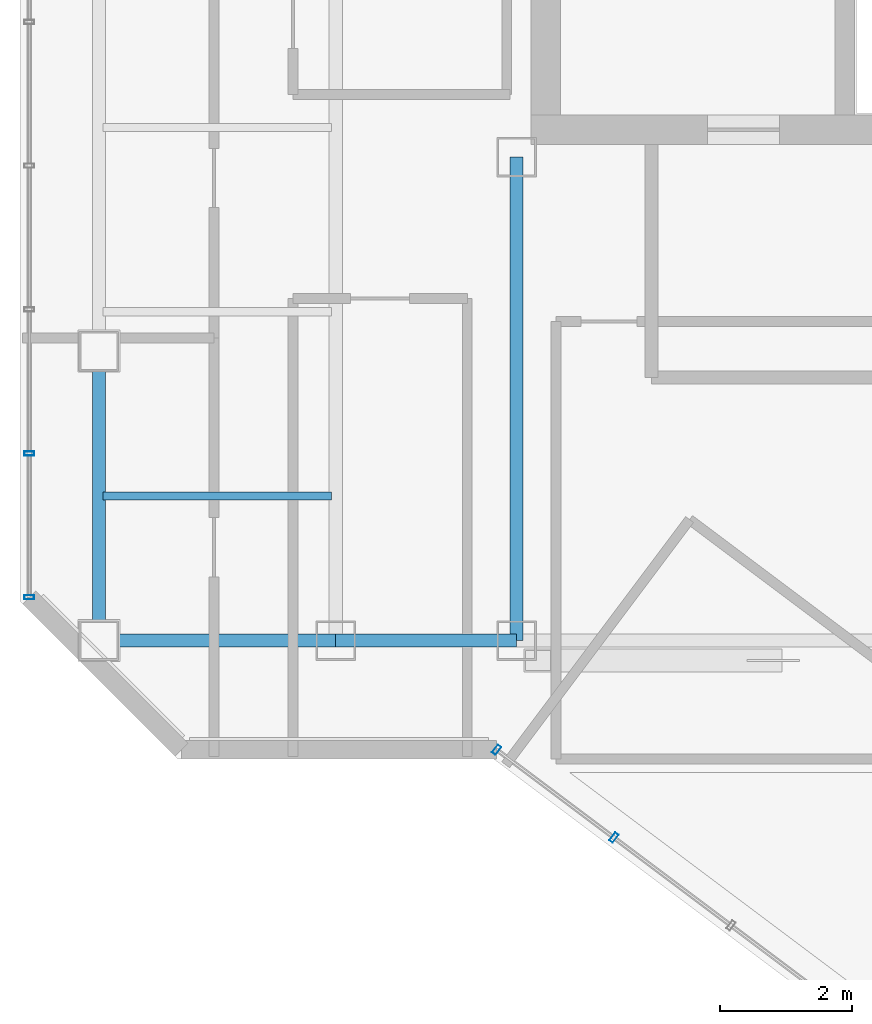
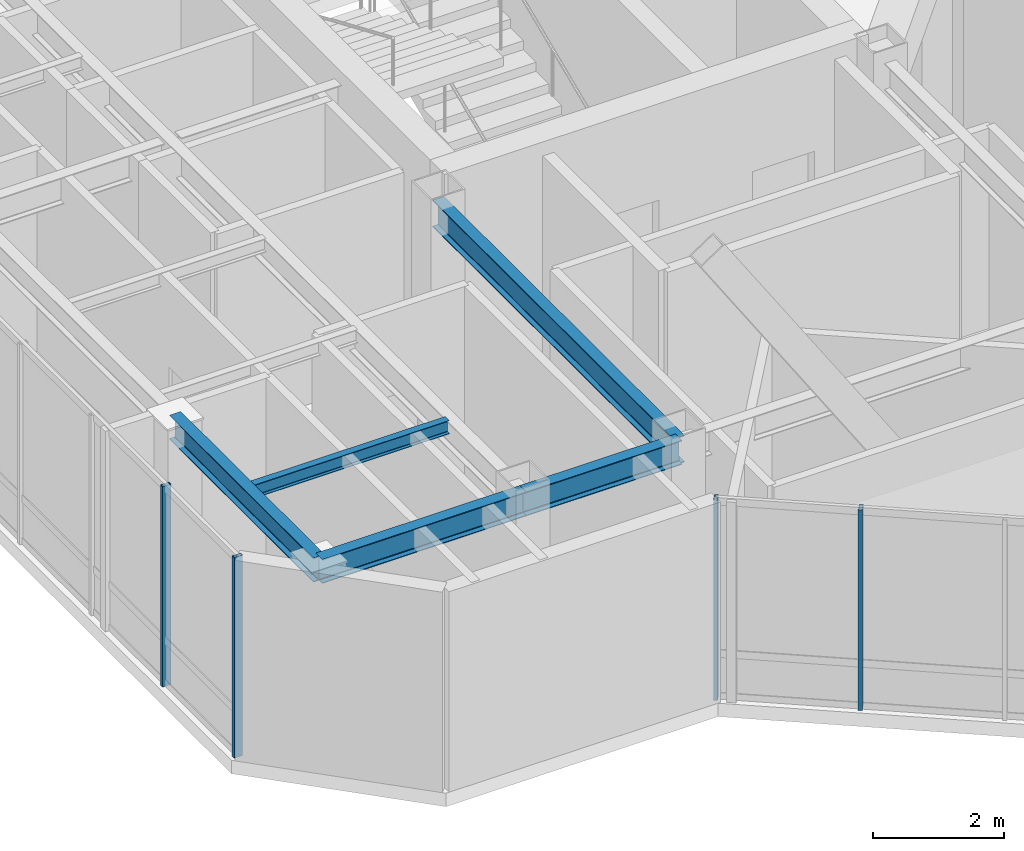
# One storey, part 5 of 31: 5 beams, 4 members, 2 elements without a shape of their own.
"""IFC4 building model written with IfcOpenShell, lengths in metres."""

from ifc_helpers import new_model, si_unit, direction, frame, origin, origin_2d, place, context, subcontext, project, spatial, hollow_rectangle, i_section, extrude, material, layer, layer_set, material_profile, profile_set, type_object, element, aggregate, save


model = new_model("IFC4")

# Units and contexts
model_context = context("Model", 3, precision=1e-05, world=origin(), true_north=direction((0.0, 1.0)))
body_context = subcontext(model_context, "Body", "Model", "MODEL_VIEW")
ifc_project = project(units=[si_unit("LENGTHUNIT", "METRE"), si_unit("AREAUNIT", "SQUARE_METRE"), si_unit("VOLUMEUNIT", "CUBIC_METRE"), si_unit("PLANEANGLEUNIT", "RADIAN"), si_unit("MASSUNIT", "GRAM", prefix="KILO")], contexts=[model_context])

# Site, building, storey
site_placement = place(None, origin())
site = spatial("IfcSite", under=ifc_project, at=site_placement, CompositionType="ELEMENT")
building_placement = place(site_placement, origin())
building = spatial("IfcBuilding", under=site, at=building_placement, Name="Hatsunagi Terrace Concourse", CompositionType="ELEMENT")
storey_placement = place(building_placement, frame((0.0, 0.0, 269.949951171875)))
storey = spatial("IfcBuildingStorey", under=building, at=storey_placement, Name="L71", CompositionType="ELEMENT", Elevation=269.949951171875)

# Beams
ifc_material_1 = material(Name="Steel SN490B", Category="steel")
ifc_material_profile_1 = material_profile(ifc_material_1, i_section(OverallWidth=0.199951171875, OverallDepth=0.5, WebThickness=0.010009765625, FlangeThickness=0.01611328125, FilletRadius=0.01611328125, at=origin_2d()), Name="H-500x200x10x16")
ifc_profile_set_1 = profile_set([ifc_material_profile_1], Name="Steel SN490B")
beam_type_1 = type_object("IfcBeamType", Name="CrownFloorGirder_H_500x200", PredefinedType="BEAM", material=ifc_profile_set_1)
beam_1_placement = place(storey_placement, frame((25.550048828125, 25.199951171875, 3.5), z_axis=(0.0, 1.0, 0.0), x_axis=(-1.0, 0.0, 0.0)))
element("IfcBeam", 1, at=beam_1_placement, inside=storey, type_object=beam_type_1, Name="Beam G-07 BM-L71-K1CA", PredefinedType="BEAM", context=body_context, shape_type="SweptSolid", body=[
    extrude(i_section(OverallWidth=0.199951171875, OverallDepth=0.5, WebThickness=0.010009765625, FlangeThickness=0.01611328125, FilletRadius=0.01611328125, at=origin_2d()), origin(), (0.0, 0.0, 1.0), 7.35009765625),
])
ifc_material_2 = material(Name="Steel SN490B", Category="steel")
ifc_material_profile_2 = material_profile(ifc_material_2, i_section(OverallWidth=0.125, OverallDepth=0.25, WebThickness=0.006103515625, FlangeThickness=0.009033203125, FilletRadius=0.008056640625, at=origin_2d()), Name="H-250x125x6x9")
ifc_profile_set_2 = profile_set([ifc_material_profile_2], Name="Steel SN490B")
beam_type_2 = type_object("IfcBeamType", Name="CrownJoist_H_250x125", PredefinedType="JOIST", material=ifc_profile_set_2)
beam_2_placement = place(storey_placement, frame((19.264892578125, 27.39990234375, 3.625), z_axis=(1.0, 0.0, 0.0), x_axis=(0.0, 1.0, 0.0)))
element("IfcBeam", 2, at=beam_2_placement, inside=storey, type_object=beam_type_2, Name="Beam J-04 J-L71-W-19-274", PredefinedType="JOIST", context=body_context, shape_type="SweptSolid", body=[
    extrude(i_section(OverallWidth=0.125, OverallDepth=0.25, WebThickness=0.006103515625, FlangeThickness=0.009033203125, FilletRadius=0.008056640625, at=origin_2d()), origin(), (0.0, 0.0, 1.0), 3.47021484375),
])

# Curtain wall, members
ifc_material_3 = material(Name="Anodised Aluminium Alloy 6063-T5", Category="aluminium")
ifc_layer = layer(ifc_material_3, 0.199951171875)
ifc_layer_set = layer_set([ifc_layer], Name="CrownWintergarden_CW06")
curtain_wall_type = type_object("IfcCurtainWallType", Name="CrownWintergarden_CW06", PredefinedType="NOTDEFINED", material=ifc_layer_set)
curtain_wall_1_placement = place(storey_placement, origin())
curtain_wall_1 = element("IfcCurtainWall", 3, at=curtain_wall_1_placement, inside=storey, type_object=curtain_wall_type, Name="Unitised Curtain Wall CW-06 CW-L71-05", PredefinedType="NOTDEFINED")
ifc_material_4 = material(Name="Anodised Aluminium Alloy 6063-T5", Category="aluminium")
ifc_material_profile_3 = material_profile(ifc_material_4, hollow_rectangle(XDim=0.06494140625, YDim=0.14990234375, WallThickness=0.00390625, at=origin_2d()), Name="ALU-MUL-150x65x4")
ifc_profile_set_3 = profile_set([ifc_material_profile_3], Name="Anodised Aluminium Alloy 6063-T5")
member_type = type_object("IfcMemberType", Name="CurtainWallMullion_Crown_150x65", PredefinedType="MULLION", material=ifc_profile_set_3)
member_1_placement = place(storey_placement, frame((27.029052734375, 22.2041015625, 0.0), z_axis=(0.0, 0.0, 1.0), x_axis=(-0.800007305671, 0.599990258982, 0.0)))
member_1 = element("IfcMember", 4, at=member_1_placement, type_object=member_type, Name="Curtain Wall Mullion MUL-03", PredefinedType="MULLION", context=body_context, shape_type="SweptSolid", body=[
    extrude(hollow_rectangle(XDim=0.06494140625, YDim=0.14990234375, WallThickness=0.00390625, at=origin_2d()), origin(), (0.0, 0.0, 1.0), 3.739990234375),
])
member_2_placement = place(storey_placement, frame((25.2470703125, 23.5400390625, 0.0), z_axis=(0.0, 0.0, 1.0), x_axis=(-0.800007305671, 0.599990258982, 0.0)))
member_2 = element("IfcMember", 5, at=member_2_placement, type_object=member_type, Name="Curtain Wall Mullion MUL-03", PredefinedType="MULLION", context=body_context, shape_type="SweptSolid", body=[
    extrude(hollow_rectangle(XDim=0.06494140625, YDim=0.14990234375, WallThickness=0.00390625, at=origin_2d()), origin(), (0.0, 0.0, 1.0), 3.739990234375),
])
aggregate(curtain_wall_1, [member_1, member_2])

curtain_wall_2_placement = place(storey_placement, origin())
curtain_wall_2 = element("IfcCurtainWall", 6, at=curtain_wall_2_placement, inside=storey, type_object=curtain_wall_type, Name="Unitised Curtain Wall CW-06 CW-L71-08", PredefinedType="NOTDEFINED")
member_3_placement = place(storey_placement, frame((18.139892578125, 25.85791015625, 0.0), z_axis=(0.0, 0.0, 1.0), x_axis=(0.0, 1.0, 0.0)))
member_3 = element("IfcMember", 7, at=member_3_placement, type_object=member_type, Name="Curtain Wall Mullion MUL-03", PredefinedType="MULLION", context=body_context, shape_type="SweptSolid", body=[
    extrude(hollow_rectangle(XDim=0.06494140625, YDim=0.14990234375, WallThickness=0.00390625, at=origin_2d()), origin(), (0.0, 0.0, 1.0), 3.739990234375),
])
member_4_placement = place(storey_placement, frame((18.139892578125, 28.044921875, 0.0), z_axis=(0.0, 0.0, 1.0), x_axis=(0.0, 1.0, 0.0)))
member_4 = element("IfcMember", 8, at=member_4_placement, type_object=member_type, Name="Curtain Wall Mullion MUL-03", PredefinedType="MULLION", context=body_context, shape_type="SweptSolid", body=[
    extrude(hollow_rectangle(XDim=0.06494140625, YDim=0.14990234375, WallThickness=0.00390625, at=origin_2d()), origin(), (0.0, 0.0, 1.0), 3.739990234375),
])
aggregate(curtain_wall_2, [member_3, member_4])

# Beams
ifc_material_5 = material(Name="Steel SN490B", Category="steel")
ifc_material_profile_4 = material_profile(ifc_material_5, i_section(OverallWidth=0.199951171875, OverallDepth=0.449951171875, WebThickness=0.009033203125, FlangeThickness=0.013916015625, FilletRadius=0.01611328125, at=origin_2d()), Name="H-450x200x9x14")
ifc_profile_set_4 = profile_set([ifc_material_profile_4], Name="Steel SN490B")
beam_type_3 = type_object("IfcBeamType", Name="PerimeterSpandrel_H_450x200", PredefinedType="SPANDREL", material=ifc_profile_set_4)
beam_3_placement = place(storey_placement, frame((19.199951171875, 25.199951171875, 3.525146484375), z_axis=(1.0, 0.0, 0.0), x_axis=(0.0, 1.0, 0.0)))
element("IfcBeam", 9, at=beam_3_placement, inside=storey, type_object=beam_type_3, Name="Beam SP-02 BM-L71-WS-19", PredefinedType="SPANDREL", context=body_context, shape_type="SweptSolid", body=[
    extrude(i_section(OverallWidth=0.199951171875, OverallDepth=0.449951171875, WebThickness=0.009033203125, FlangeThickness=0.013916015625, FilletRadius=0.01611328125, at=origin_2d()), origin(), (0.0, 0.0, 1.0), 3.60009765625),
])
beam_4_placement = place(storey_placement, frame((22.800048828125, 25.199951171875, 3.525146484375), z_axis=(1.0, 0.0, 0.0), x_axis=(0.0, 1.0, 0.0)))
element("IfcBeam", 10, at=beam_4_placement, inside=storey, type_object=beam_type_3, Name="Beam SP-02 BM-L71-WS-22", PredefinedType="SPANDREL", context=body_context, shape_type="SweptSolid", body=[
    extrude(i_section(OverallWidth=0.199951171875, OverallDepth=0.449951171875, WebThickness=0.009033203125, FlangeThickness=0.013916015625, FilletRadius=0.01611328125, at=origin_2d()), origin(), (0.0, 0.0, 1.0), 2.75),
])
beam_5_placement = place(storey_placement, frame((19.199951171875, 25.199951171875, 3.525146484375), z_axis=(0.0, 1.0, 0.0), x_axis=(-1.0, 0.0, 0.0)))
element("IfcBeam", 11, at=beam_5_placement, inside=storey, type_object=beam_type_3, Name="Beam SP-02 BM-L71-NS-19-25", PredefinedType="SPANDREL", context=body_context, shape_type="SweptSolid", body=[
    extrude(i_section(OverallWidth=0.199951171875, OverallDepth=0.449951171875, WebThickness=0.009033203125, FlangeThickness=0.013916015625, FilletRadius=0.01611328125, at=origin_2d()), origin(), (0.0, 0.0, 1.0), 4.400146484375),
])

save(model, "model.ifc")
